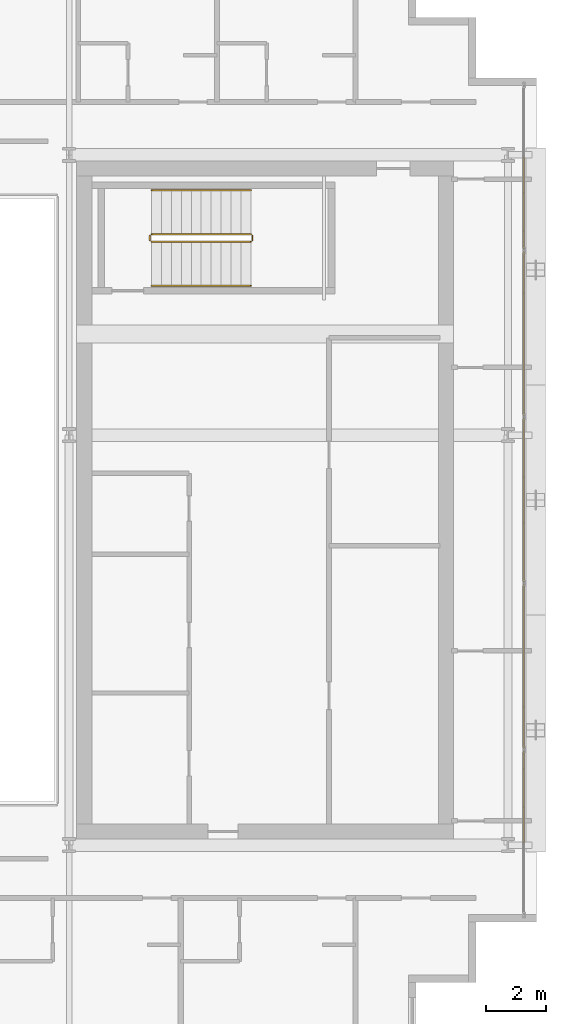
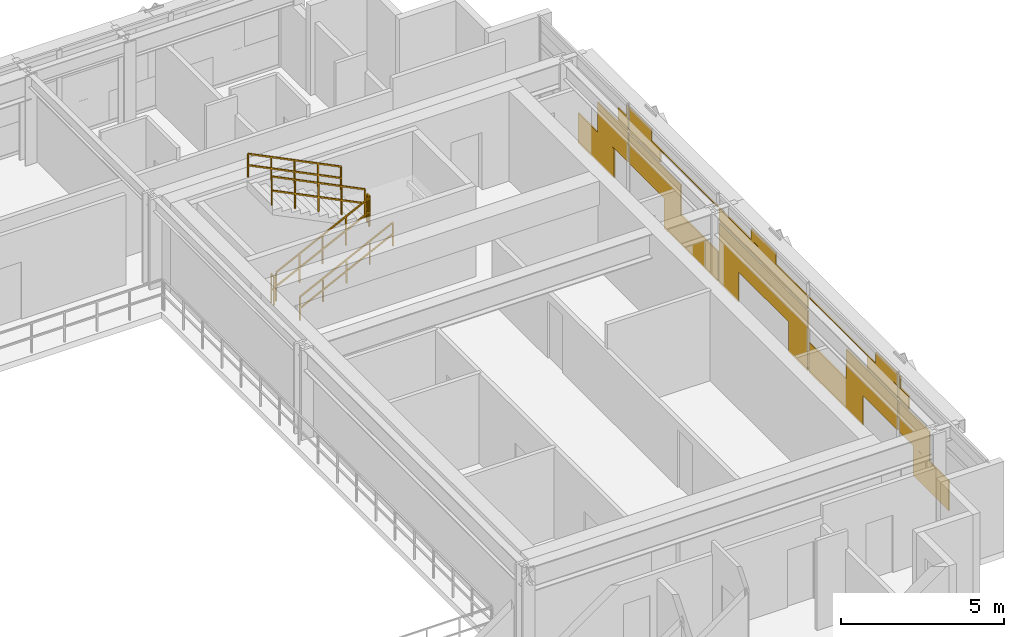
# One storey, part 30 of 31: 6 railings, 1 covering.
"""IFC4 building model written with IfcOpenShell, lengths in metres."""

from ifc_helpers import new_model, si_unit, direction, frame, origin, origin_2d, place, context, subcontext, project, spatial, rectangle, extrude, material, layer, layer_set, type_object, element, save


model = new_model("IFC4")

# Units and contexts
model_context = context("Model", 3, precision=1e-05, world=origin(), true_north=direction((0.0, 1.0)))
body_context = subcontext(model_context, "Body", "Model", "MODEL_VIEW")
ifc_project = project(units=[si_unit("LENGTHUNIT", "METRE"), si_unit("AREAUNIT", "SQUARE_METRE"), si_unit("VOLUMEUNIT", "CUBIC_METRE"), si_unit("PLANEANGLEUNIT", "RADIAN"), si_unit("MASSUNIT", "GRAM", prefix="KILO")], contexts=[model_context])

# Site, building, storey
site_placement = place(None, origin())
site = spatial("IfcSite", under=ifc_project, at=site_placement, CompositionType="ELEMENT")
building_placement = place(site_placement, origin())
building = spatial("IfcBuilding", under=site, at=building_placement, Name="Ocotamira Hotel", CompositionType="ELEMENT")
storey_placement = place(building_placement, frame((0.0, 0.0, 174.0)))
storey = spatial("IfcBuildingStorey", under=building, at=storey_placement, Name="L43", CompositionType="ELEMENT", Elevation=174.0)

# Covering
ifc_material_1 = material(Name="Insulated pale-metal aluminium spandrel panel", Category="aluminium")
ifc_layer = layer(ifc_material_1, 0.044921875)
ifc_layer_set = layer_set([ifc_layer], Name="Insulated pale-metal aluminium spandrel panel")
covering_type = type_object("IfcCoveringType", Name="COV-INFILL-45", PredefinedType="CLADDING", material=ifc_layer_set)
covering_placement = place(storey_placement, origin())
element("IfcCovering", 1, at=covering_placement, inside=storey, type_object=covering_type, Name="L43 Curtain Wall Infill CW-4 CW-L43-E", PredefinedType="CLADDING", context=body_context, shape_type="SweptSolid", body=[
    extrude(rectangle(XDim=2.205078125, YDim=0.044921875, at=origin_2d()), frame((55.580078125, 15.7314453125, 0.07568359375), z_axis=(0.0, 0.0, 1.0), x_axis=(0.0, 1.0, 0.0)), (0.0, 0.0, 1.0), 1.117919921875),
    extrude(rectangle(XDim=1.864501953125, YDim=0.044921875, at=origin_2d()), frame((55.580078125, 16.747314453125, 1.1943359375), z_axis=(0.0, 0.0, 1.0), x_axis=(0.0, 1.0, 0.0)), (0.0, 0.0, 1.0), 1.117919921875),
    extrude(rectangle(XDim=0.59912109375, YDim=0.044921875, at=origin_2d()), frame((55.580078125, 17.3798828125, 2.38818359375), z_axis=(0.0, 0.0, 1.0), x_axis=(0.0, 1.0, 0.0)), (0.0, 0.0, 1.0), 0.493896484375),
    extrude(rectangle(XDim=0.07421875, YDim=0.044921875, at=origin_2d()), frame((55.580078125, 17.642333984375, 2.883056640625), z_axis=(0.0, 0.0, 1.0), x_axis=(0.0, 1.0, 0.0)), (0.0, 0.0, 1.0), 0.41162109375),
    extrude(rectangle(XDim=3.157958984375, YDim=0.044921875, at=origin_2d()), frame((55.580078125, 19.33935546875, 1.1943359375), z_axis=(0.0, 0.0, 1.0), x_axis=(0.0, 1.0, 0.0)), (0.0, 0.0, 1.0), 1.117919921875),
    extrude(rectangle(XDim=3.30029296875, YDim=0.044921875, at=origin_2d()), frame((55.580078125, 21.54931640625, 0.07568359375), z_axis=(0.0, 0.0, 1.0), x_axis=(0.0, 1.0, 0.0)), (0.0, 0.0, 1.0), 1.117919921875),
    extrude(rectangle(XDim=1.892333984375, YDim=0.044921875, at=origin_2d()), frame((55.580078125, 18.70654296875, 2.38818359375), z_axis=(0.0, 0.0, 1.0), x_axis=(0.0, 1.0, 0.0)), (0.0, 0.0, 1.0), 0.459716796875),
    extrude(rectangle(XDim=5.43896484375, YDim=0.044921875, at=origin_2d()), frame((55.580078125, 20.47998046875, 2.848876953125), z_axis=(0.0, 0.0, 1.0), x_axis=(0.0, 1.0, 0.0)), (0.0, 0.0, 1.0), 0.033203125),
    extrude(rectangle(XDim=1.367431640625, YDim=0.044921875, at=origin_2d()), frame((55.580078125, 18.444091796875, 2.883056640625), z_axis=(0.0, 0.0, 1.0), x_axis=(0.0, 1.0, 0.0)), (0.0, 0.0, 1.0), 0.41162109375),
    extrude(rectangle(XDim=1.18701171875, YDim=0.044921875, at=origin_2d()), frame((55.580078125, 23.873779296875, 0.07568359375), z_axis=(0.0, 0.0, 1.0), x_axis=(0.0, 1.0, 0.0)), (0.0, 0.0, 1.0), 1.117919921875),
    extrude(rectangle(XDim=5.43896484375, YDim=0.044921875, at=origin_2d()), frame((55.580078125, 26.0, 1.1943359375), z_axis=(0.0, 0.0, 1.0), x_axis=(0.0, 1.0, 0.0)), (0.0, 0.0, 1.0), 1.117919921875),
    extrude(rectangle(XDim=1.18701171875, YDim=0.044921875, at=origin_2d()), frame((55.580078125, 28.126220703125, 0.07568359375), z_axis=(0.0, 0.0, 1.0), x_axis=(0.0, 1.0, 0.0)), (0.0, 0.0, 1.0), 1.117919921875),
    extrude(rectangle(XDim=5.43896484375, YDim=0.044921875, at=origin_2d()), frame((55.580078125, 26.0, 2.38818359375), z_axis=(0.0, 0.0, 1.0), x_axis=(0.0, 1.0, 0.0)), (0.0, 0.0, 1.0), 0.493896484375),
    extrude(rectangle(XDim=1.522705078125, YDim=0.044921875, at=origin_2d()), frame((55.580078125, 26.0, 2.883056640625), z_axis=(0.0, 0.0, 1.0), x_axis=(0.0, 1.0, 0.0)), (0.0, 0.0, 1.0), 0.41162109375),
    extrude(rectangle(XDim=3.30029296875, YDim=0.044921875, at=origin_2d()), frame((55.580078125, 30.45068359375, 0.07568359375), z_axis=(0.0, 0.0, 1.0), x_axis=(0.0, 1.0, 0.0)), (0.0, 0.0, 1.0), 1.117919921875),
    extrude(rectangle(XDim=3.157958984375, YDim=0.044921875, at=origin_2d()), frame((55.580078125, 32.66064453125, 1.1943359375), z_axis=(0.0, 0.0, 1.0), x_axis=(0.0, 1.0, 0.0)), (0.0, 0.0, 1.0), 1.117919921875),
    extrude(rectangle(XDim=5.43896484375, YDim=0.044921875, at=origin_2d()), frame((55.580078125, 31.52001953125, 2.848876953125), z_axis=(0.0, 0.0, 1.0), x_axis=(0.0, 1.0, 0.0)), (0.0, 0.0, 1.0), 0.033203125),
    extrude(rectangle(XDim=1.892333984375, YDim=0.044921875, at=origin_2d()), frame((55.580078125, 33.29345703125, 2.38818359375), z_axis=(0.0, 0.0, 1.0), x_axis=(0.0, 1.0, 0.0)), (0.0, 0.0, 1.0), 0.459716796875),
    extrude(rectangle(XDim=1.367431640625, YDim=0.044921875, at=origin_2d()), frame((55.580078125, 33.555908203125, 2.883056640625), z_axis=(0.0, 0.0, 1.0), x_axis=(0.0, 1.0, 0.0)), (0.0, 0.0, 1.0), 0.41162109375),
    extrude(rectangle(XDim=1.864501953125, YDim=0.044921875, at=origin_2d()), frame((55.580078125, 35.252685546875, 1.1943359375), z_axis=(0.0, 0.0, 1.0), x_axis=(0.0, 1.0, 0.0)), (0.0, 0.0, 1.0), 1.117919921875),
    extrude(rectangle(XDim=2.205078125, YDim=0.044921875, at=origin_2d()), frame((55.580078125, 36.2685546875, 0.07568359375), z_axis=(0.0, 0.0, 1.0), x_axis=(0.0, 1.0, 0.0)), (0.0, 0.0, 1.0), 1.117919921875),
    extrude(rectangle(XDim=0.59912109375, YDim=0.044921875, at=origin_2d()), frame((55.580078125, 34.6201171875, 2.38818359375), z_axis=(0.0, 0.0, 1.0), x_axis=(0.0, 1.0, 0.0)), (0.0, 0.0, 1.0), 0.493896484375),
    extrude(rectangle(XDim=0.07421875, YDim=0.044921875, at=origin_2d()), frame((55.580078125, 34.357666015625, 2.883056640625), z_axis=(0.0, 0.0, 1.0), x_axis=(0.0, 1.0, 0.0)), (0.0, 0.0, 1.0), 0.41162109375),
])

# Railings
ifc_material_2 = material(Name="Brushed stainless steel handrail", Category="steel")
railing_type_1 = type_object("IfcRailingType", Name="RL-HAND-900", PredefinedType="HANDRAIL", material=ifc_material_2)
railing_1_placement = place(storey_placement, frame((43.22998046875, 33.10009765625, 0.327392578125)))
element("IfcRailing", 2, at=railing_1_placement, inside=storey, type_object=railing_type_1, Name="L43 ST-4 stair handrail 1", PredefinedType="HANDRAIL", context=body_context, shape_type="SweptSolid", body=[
    extrude(rectangle(XDim=0.048095703125, YDim=0.048095703125, at=origin_2d()), frame((0.0, 0.0, 0.8759765625), z_axis=(0.895920123917, 0.0, 0.444215186098), x_axis=(0.0, 1.0, 0.0)), (0.0, 0.0, 1.0), 3.683349609375),
    extrude(rectangle(XDim=0.048095703125, YDim=0.048095703125, at=origin_2d()), frame((0.0, 0.0, 0.449951171875), z_axis=(0.895920123917, 0.0, 0.444215186098), x_axis=(0.0, 1.0, 0.0)), (0.0, 0.0, 1.0), 3.683349609375),
    extrude(rectangle(XDim=0.0419921875, YDim=0.0419921875, at=origin_2d()), origin(), (0.0, 0.0, 1.0), 0.851806640625),
    extrude(rectangle(XDim=0.0419921875, YDim=0.0419921875, at=origin_2d()), frame((0.824951171875, 0.0, 0.4091796875)), (0.0, 0.0, 1.0), 0.851806640625),
    extrude(rectangle(XDim=0.0419921875, YDim=0.0419921875, at=origin_2d()), frame((1.64990234375, 0.0, 0.818115234375)), (0.0, 0.0, 1.0), 0.851806640625),
    extrude(rectangle(XDim=0.0419921875, YDim=0.0419921875, at=origin_2d()), frame((2.47509765625, 0.0, 1.22705078125)), (0.0, 0.0, 1.0), 0.851806640625),
    extrude(rectangle(XDim=0.0419921875, YDim=0.0419921875, at=origin_2d()), frame((3.300048828125, 0.0, 1.63623046875)), (0.0, 0.0, 1.0), 0.851806640625),
])
railing_2_placement = place(storey_placement, frame((46.530029296875, 36.280029296875, 2.127197265625)))
element("IfcRailing", 3, at=railing_2_placement, inside=storey, type_object=railing_type_1, Name="L43 ST-4 stair handrail 2", PredefinedType="HANDRAIL", context=body_context, shape_type="SweptSolid", body=[
    extrude(rectangle(XDim=0.048095703125, YDim=0.048095703125, at=origin_2d()), frame((0.0, 0.0, 0.8759765625), z_axis=(-0.895893744519, 0.0, 0.4442683857), x_axis=(0.0, -1.0, 0.0)), (0.0, 0.0, 1.0), 3.68359375),
    extrude(rectangle(XDim=0.048095703125, YDim=0.048095703125, at=origin_2d()), frame((0.0, 0.0, 0.449951171875), z_axis=(-0.895893744519, 0.0, 0.4442683857), x_axis=(0.0, -1.0, 0.0)), (0.0, 0.0, 1.0), 3.68359375),
    extrude(rectangle(XDim=0.0419921875, YDim=0.0419921875, at=origin_2d()), origin(), (0.0, 0.0, 1.0), 0.851806640625),
    extrude(rectangle(XDim=0.0419921875, YDim=0.0419921875, at=origin_2d()), frame((-0.824951171875, 0.0, 0.4091796875)), (0.0, 0.0, 1.0), 0.851806640625),
    extrude(rectangle(XDim=0.0419921875, YDim=0.0419921875, at=origin_2d()), frame((-1.64990234375, 0.0, 0.818359375)), (0.0, 0.0, 1.0), 0.851806640625),
    extrude(rectangle(XDim=0.0419921875, YDim=0.0419921875, at=origin_2d()), frame((-2.47509765625, 0.0, 1.227294921875)), (0.0, 0.0, 1.0), 0.851806640625),
    extrude(rectangle(XDim=0.0419921875, YDim=0.0419921875, at=origin_2d()), frame((-3.300048828125, 0.0, 1.636474609375)), (0.0, 0.0, 1.0), 0.851806640625),
])
ifc_material_3 = material(Name="Painted steel stair guardrail", Category="steel")
railing_type_2 = type_object("IfcRailingType", Name="RL-STAIR-1100", PredefinedType="GUARDRAIL", material=ifc_material_3)
railing_3_placement = place(storey_placement, frame((43.22998046875, 34.56005859375, 0.16357421875)))
element("IfcRailing", 4, at=railing_3_placement, inside=storey, type_object=railing_type_2, Name="L43 ST-4 stair guard 1", PredefinedType="GUARDRAIL", context=body_context, shape_type="SweptSolid", body=[
    extrude(rectangle(XDim=0.048095703125, YDim=0.048095703125, at=origin_2d()), frame((0.0, 0.0, 1.076171875), z_axis=(0.895893744519, 0.0, 0.4442683857), x_axis=(0.0, 1.0, 0.0)), (0.0, 0.0, 1.0), 3.68359375),
    extrude(rectangle(XDim=0.048095703125, YDim=0.048095703125, at=origin_2d()), frame((0.0, 0.0, 0.550048828125), z_axis=(0.895893744519, 0.0, 0.4442683857), x_axis=(0.0, 1.0, 0.0)), (0.0, 0.0, 1.0), 3.68359375),
    extrude(rectangle(XDim=0.0419921875, YDim=0.0419921875, at=origin_2d()), origin(), (0.0, 0.0, 1.0), 1.052001953125),
    extrude(rectangle(XDim=0.0419921875, YDim=0.0419921875, at=origin_2d()), frame((0.824951171875, 0.0, 0.4091796875)), (0.0, 0.0, 1.0), 1.052001953125),
    extrude(rectangle(XDim=0.0419921875, YDim=0.0419921875, at=origin_2d()), frame((1.64990234375, 0.0, 0.818359375)), (0.0, 0.0, 1.0), 1.052001953125),
    extrude(rectangle(XDim=0.0419921875, YDim=0.0419921875, at=origin_2d()), frame((2.47509765625, 0.0, 1.227294921875)), (0.0, 0.0, 1.0), 1.052001953125),
    extrude(rectangle(XDim=0.0419921875, YDim=0.0419921875, at=origin_2d()), frame((3.300048828125, 0.0, 1.636474609375)), (0.0, 0.0, 1.0), 1.052001953125),
])
railing_4_placement = place(storey_placement, frame((46.580078125, 34.610107421875, 1.800048828125)))
element("IfcRailing", 5, at=railing_4_placement, inside=storey, type_object=railing_type_2, Name="L43 ST-4 stair guard 2", PredefinedType="GUARDRAIL", context=body_context, shape_type="SweptSolid", body=[
    extrude(rectangle(XDim=0.048095703125, YDim=0.048095703125, at=origin_2d()), frame((0.0, 0.0, 1.076171875), z_axis=(0.0, 1.0, 0.0), x_axis=(-1.0, 0.0, 0.0)), (0.0, 0.0, 1.0), 0.159912109375),
    extrude(rectangle(XDim=0.048095703125, YDim=0.048095703125, at=origin_2d()), frame((0.0, 0.0, 0.550048828125), z_axis=(0.0, 1.0, 0.0), x_axis=(-1.0, 0.0, 0.0)), (0.0, 0.0, 1.0), 0.159912109375),
    extrude(rectangle(XDim=0.0419921875, YDim=0.0419921875, at=origin_2d()), origin(), (0.0, 0.0, 1.0), 1.052001953125),
    extrude(rectangle(XDim=0.0419921875, YDim=0.0419921875, at=origin_2d()), frame((0.0, 0.159912109375, 0.0)), (0.0, 0.0, 1.0), 1.052001953125),
])
railing_5_placement = place(storey_placement, frame((46.530029296875, 34.820068359375, 1.963623046875)))
element("IfcRailing", 6, at=railing_5_placement, inside=storey, type_object=railing_type_2, Name="L43 ST-4 stair guard 3", PredefinedType="GUARDRAIL", context=body_context, shape_type="SweptSolid", body=[
    extrude(rectangle(XDim=0.048095703125, YDim=0.048095703125, at=origin_2d()), frame((0.0, 0.0, 1.076171875), z_axis=(-0.895893744519, 0.0, 0.4442683857), x_axis=(0.0, -1.0, 0.0)), (0.0, 0.0, 1.0), 3.68359375),
    extrude(rectangle(XDim=0.048095703125, YDim=0.048095703125, at=origin_2d()), frame((0.0, 0.0, 0.550048828125), z_axis=(-0.895893744519, 0.0, 0.4442683857), x_axis=(0.0, -1.0, 0.0)), (0.0, 0.0, 1.0), 3.68359375),
    extrude(rectangle(XDim=0.0419921875, YDim=0.0419921875, at=origin_2d()), origin(), (0.0, 0.0, 1.0), 1.052001953125),
    extrude(rectangle(XDim=0.0419921875, YDim=0.0419921875, at=origin_2d()), frame((-0.824951171875, 0.0, 0.4091796875)), (0.0, 0.0, 1.0), 1.052001953125),
    extrude(rectangle(XDim=0.0419921875, YDim=0.0419921875, at=origin_2d()), frame((-1.64990234375, 0.0, 0.818359375)), (0.0, 0.0, 1.0), 1.052001953125),
    extrude(rectangle(XDim=0.0419921875, YDim=0.0419921875, at=origin_2d()), frame((-2.47509765625, 0.0, 1.227294921875)), (0.0, 0.0, 1.0), 1.052001953125),
    extrude(rectangle(XDim=0.0419921875, YDim=0.0419921875, at=origin_2d()), frame((-3.300048828125, 0.0, 1.636474609375)), (0.0, 0.0, 1.0), 1.052001953125),
])
railing_6_placement = place(storey_placement, frame((43.179931640625, 34.610107421875, 0.0)))
element("IfcRailing", 7, at=railing_6_placement, inside=storey, type_object=railing_type_2, Name="L43 ST-4 stair guard 4", PredefinedType="GUARDRAIL", context=body_context, shape_type="SweptSolid", body=[
    extrude(rectangle(XDim=0.048095703125, YDim=0.048095703125, at=origin_2d()), frame((0.0, 0.0, 1.076171875), z_axis=(0.0, 1.0, 0.0), x_axis=(-1.0, 0.0, 0.0)), (0.0, 0.0, 1.0), 0.159912109375),
    extrude(rectangle(XDim=0.048095703125, YDim=0.048095703125, at=origin_2d()), frame((0.0, 0.0, 0.550048828125), z_axis=(0.0, 1.0, 0.0), x_axis=(-1.0, 0.0, 0.0)), (0.0, 0.0, 1.0), 0.159912109375),
    extrude(rectangle(XDim=0.0419921875, YDim=0.0419921875, at=origin_2d()), origin(), (0.0, 0.0, 1.0), 1.052001953125),
    extrude(rectangle(XDim=0.0419921875, YDim=0.0419921875, at=origin_2d()), frame((0.0, 0.159912109375, 0.0)), (0.0, 0.0, 1.0), 1.052001953125),
])

save(model, "model.ifc")
